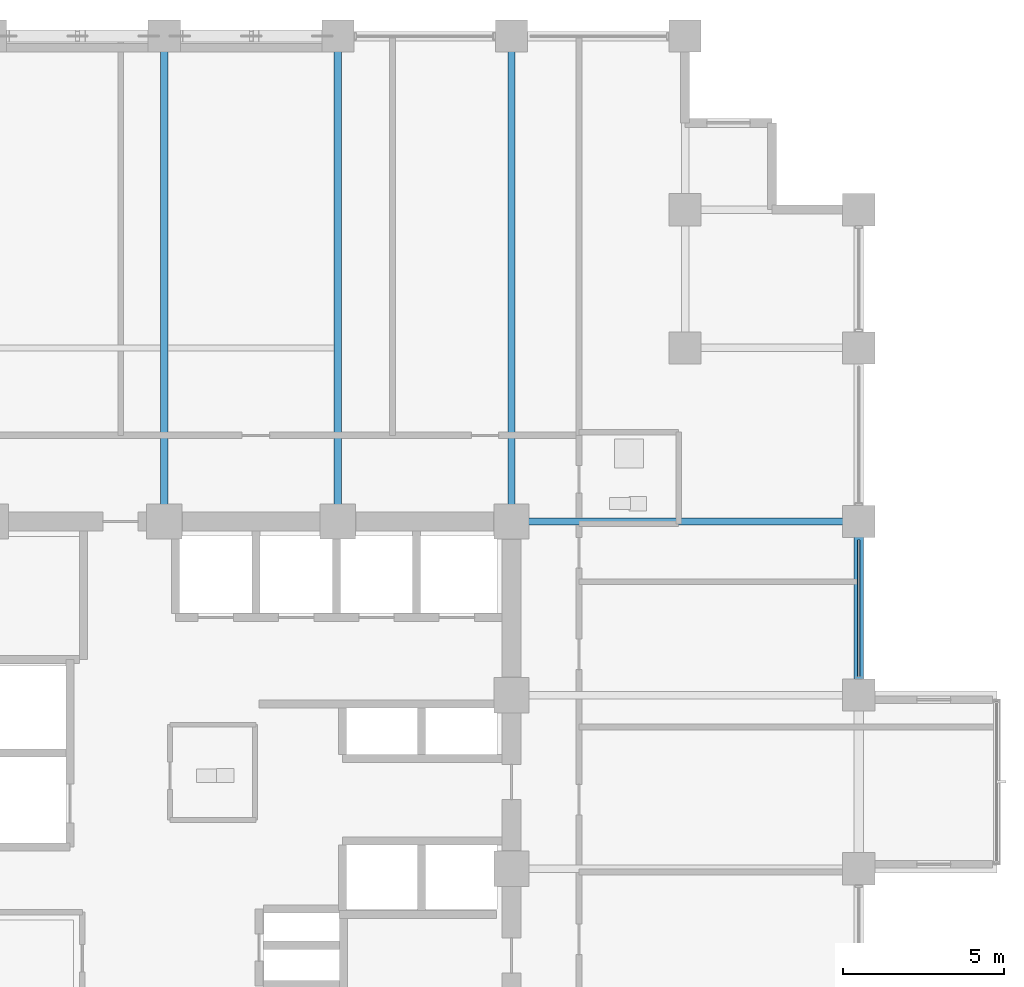
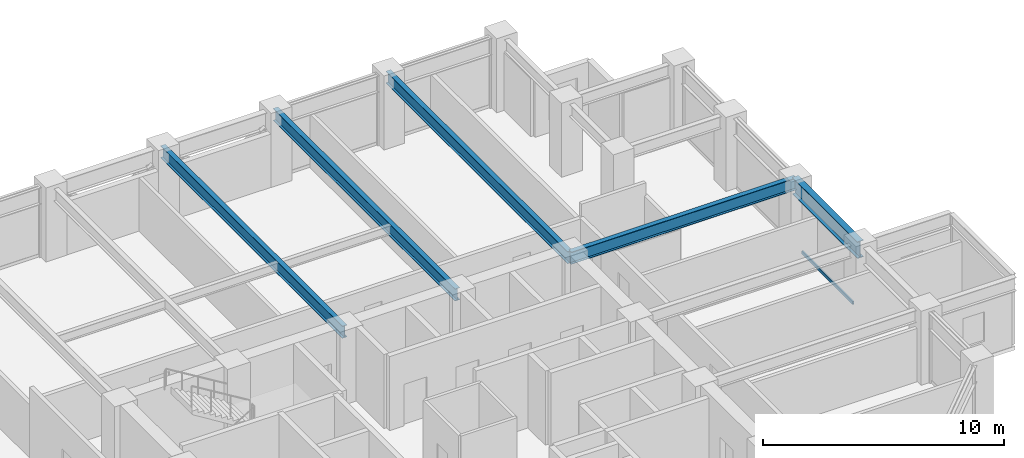
# One storey, part 15 of 26: 5 beams, 1 member, 1 element without a shape of its own.
"""IFC4 building model written with IfcOpenShell, lengths in metres."""

from ifc_helpers import new_model, si_unit, direction, frame, origin, origin_2d, place, context, subcontext, project, spatial, hollow_rectangle, i_section, extrude, material, layer, layer_set, material_profile, profile_set, type_object, element, aggregate, save


model = new_model("IFC4")

# Units and contexts
model_context = context("Model", 3, precision=1e-05, world=origin(), true_north=direction((0.0, 1.0)))
body_context = subcontext(model_context, "Body", "Model", "MODEL_VIEW")
ifc_project = project(units=[si_unit("LENGTHUNIT", "METRE"), si_unit("AREAUNIT", "SQUARE_METRE"), si_unit("VOLUMEUNIT", "CUBIC_METRE"), si_unit("PLANEANGLEUNIT", "RADIAN"), si_unit("MASSUNIT", "GRAM", prefix="KILO")], contexts=[model_context])

# Site, building, storey
site_placement = place(None, origin())
site = spatial("IfcSite", under=ifc_project, at=site_placement, CompositionType="ELEMENT")
building_placement = place(site_placement, origin())
building = spatial("IfcBuilding", under=site, at=building_placement, Name="Surkhivell Harbour Commons", CompositionType="ELEMENT")
storey_placement = place(building_placement, frame((0.0, 0.0, 147.0)))
storey = spatial("IfcBuildingStorey", under=building, at=storey_placement, Name="L38", CompositionType="ELEMENT", Elevation=147.0)

# Beams
ifc_material_1 = material(Name="Steel S355", Category="steel")
ifc_material_profile_1 = material_profile(ifc_material_1, i_section(OverallWidth=0.22998046875, OverallDepth=0.616943359375, WebThickness=0.01318359375, FlangeThickness=0.022216796875, at=origin_2d()), Name="UB610x229x140")
ifc_profile_set_1 = profile_set([ifc_material_profile_1], Name="Steel S355")
beam_type_1 = type_object("IfcBeamType", Name="BM-GRD-610B", PredefinedType="BEAM", material=ifc_profile_set_1)
for number, where, z_axis, x_axis, name in (
    (1, (0.0, 10.800048828125, 3.261474609375), (0.0, 1.0, 0.0), (-1.0, 0.0, 0.0), "L38 Floor Girder (0.0,10.8)"),
    (2, (5.39990234375, 10.800048828125, 3.261474609375), (0.0, 1.0, 0.0), (-1.0, 0.0, 0.0), "L38 Floor Girder (5.4,10.8)"),
    (3, (10.800048828125, 10.800048828125, 3.261474609375), (0.0, 1.0, 0.0), (-1.0, 0.0, 0.0), "L38 Floor Girder (10.8,10.8)"),
):
    element("IfcBeam", number, at=place(storey_placement, frame(where, z_axis=z_axis, x_axis=x_axis)), inside=storey, type_object=beam_type_1, Name=name, PredefinedType="BEAM", context=body_context, shape_type="SweptSolid", body=[
        extrude(i_section(OverallWidth=0.22998046875, OverallDepth=0.616943359375, WebThickness=0.01318359375, FlangeThickness=0.022216796875, at=origin_2d()), origin(), (0.0, 0.0, 1.0), 15.099853515625),
    ])
beam_1_placement = place(storey_placement, frame((10.800048828125, 10.800048828125, 3.261474609375), z_axis=(1.0, 0.0, 0.0), x_axis=(0.0, 1.0, 0.0)))
element("IfcBeam", 4, at=beam_1_placement, inside=storey, type_object=beam_type_1, Name="L38 Floor Girder (10.8,10.8)", PredefinedType="BEAM", context=body_context, shape_type="SweptSolid", body=[
    extrude(i_section(OverallWidth=0.22998046875, OverallDepth=0.616943359375, WebThickness=0.01318359375, FlangeThickness=0.022216796875, at=origin_2d()), origin(), (0.0, 0.0, 1.0), 10.800048828125),
])
ifc_material_2 = material(Name="Steel S460", Category="steel")
ifc_material_profile_2 = material_profile(ifc_material_2, i_section(OverallWidth=0.2939453125, OverallDepth=0.85107421875, WebThickness=0.01611328125, FlangeThickness=0.02685546875, at=origin_2d()), Name="UB838x292x226")
ifc_profile_set_2 = profile_set([ifc_material_profile_2], Name="Steel S460")
beam_type_2 = type_object("IfcBeamType", Name="BM-SPN-838", PredefinedType="SPANDREL", material=ifc_profile_set_2)
beam_2_placement = place(storey_placement, frame((21.60009765625, 5.39990234375, 3.14453125), z_axis=(0.0, 1.0, 0.0), x_axis=(-1.0, 0.0, 0.0)))
element("IfcBeam", 5, at=beam_2_placement, inside=storey, type_object=beam_type_2, Name="L38 Tube Spandrel (21.6,5.4)", PredefinedType="SPANDREL", context=body_context, shape_type="SweptSolid", body=[
    extrude(i_section(OverallWidth=0.2939453125, OverallDepth=0.85107421875, WebThickness=0.01611328125, FlangeThickness=0.02685546875, at=origin_2d()), origin(), (0.0, 0.0, 1.0), 5.400146484375),
])

# Curtain wall, member
ifc_material_3 = material(Name="Anodised pale-metal aluminium and insulated glazing", Category="aluminium")
ifc_layer = layer(ifc_material_3, 0.205078125)
ifc_layer_set = layer_set([ifc_layer], Name="Anodised pale-metal aluminium and insulated glazing")
curtain_wall_type = type_object("IfcCurtainWallType", Name="CW-SYS-Z2", PredefinedType="NOTDEFINED", material=ifc_layer_set)
curtain_wall_placement = place(storey_placement, origin())
curtain_wall = element("IfcCurtainWall", 6, at=curtain_wall_placement, inside=storey, type_object=curtain_wall_type, Name="L38 Curtain Wall CW-L38-E02R2", PredefinedType="NOTDEFINED")
ifc_material_4 = material(Name="Anodised pale-metal aluminium alloy 6063-T6", Category="aluminium")
ifc_material_profile_3 = material_profile(ifc_material_4, hollow_rectangle(XDim=0.074951171875, YDim=0.14990234375, WallThickness=0.00341796875, at=origin_2d()), Name="ALU-TRAN-75x150")
ifc_profile_set_3 = profile_set([ifc_material_profile_3], Name="Anodised pale-metal aluminium alloy 6063-T6")
member_type = type_object("IfcMemberType", Name="CWT-150", PredefinedType="USERDEFINED", material=ifc_profile_set_3)
member_placement = place(storey_placement, frame((21.60009765625, 5.97705078125, 0.074951171875), z_axis=(0.0, 1.0, 0.0), x_axis=(-1.0, 0.0, 0.0)))
member = element("IfcMember", 7, at=member_placement, type_object=member_type, Name="CW-Z2 transom 1.1", ObjectType="TRANSOM", PredefinedType="USERDEFINED", context=body_context, shape_type="SweptSolid", body=[
    extrude(hollow_rectangle(XDim=0.074951171875, YDim=0.14990234375, WallThickness=0.00341796875, at=origin_2d()), origin(), (0.0, 0.0, 1.0), 4.245849609375),
])
aggregate(curtain_wall, [member])

save(model, "model.ifc")
